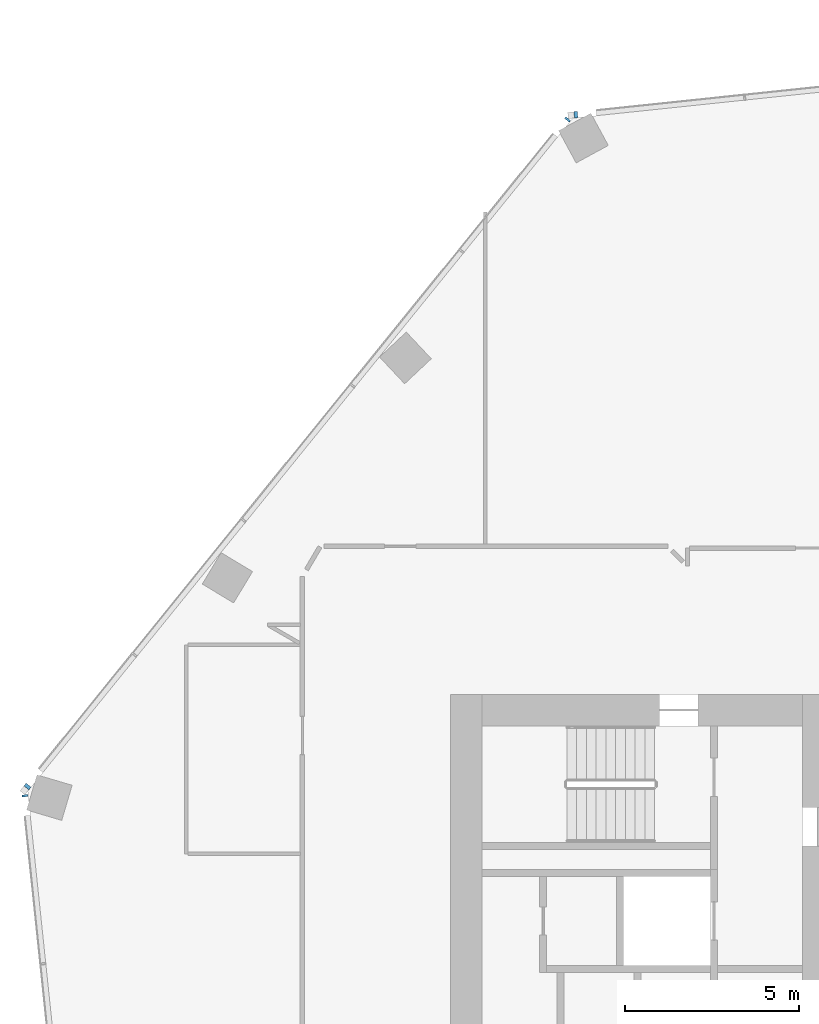
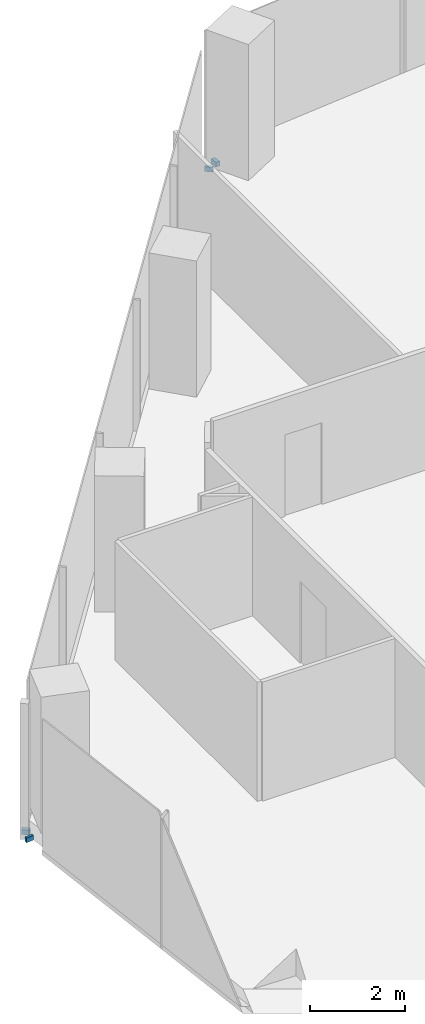
# One storey, part 14 of 25: 4 members, 3 elements without a shape of their own.
"""IFC4 building model written with IfcOpenShell, lengths in metres."""

from ifc_helpers import new_model, si_unit, direction, frame, origin, origin_2d, place, context, subcontext, project, spatial, rectangle, extrude, material, material_profile, profile_set, type_object, element, aggregate, save


model = new_model("IFC4")

# Units and contexts
model_context = context("Model", 3, precision=1e-05, world=origin(), true_north=direction((0.0, 1.0)))
body_context = subcontext(model_context, "Body", "Model", "MODEL_VIEW")
ifc_project = project(units=[si_unit("LENGTHUNIT", "METRE"), si_unit("AREAUNIT", "SQUARE_METRE"), si_unit("VOLUMEUNIT", "CUBIC_METRE"), si_unit("PLANEANGLEUNIT", "RADIAN"), si_unit("MASSUNIT", "GRAM", prefix="KILO")], contexts=[model_context])

# Site, building, storey
site_placement = place(None, origin())
site = spatial("IfcSite", under=ifc_project, at=site_placement, CompositionType="ELEMENT")
building_placement = place(site_placement, origin())
building = spatial("IfcBuilding", under=site, at=building_placement, Name="Orlundy Tower", CompositionType="ELEMENT")
storey_placement = place(building_placement, frame((0.0, 0.0, 217.5)))
storey = spatial("IfcBuildingStorey", under=building, at=storey_placement, Name="L57", CompositionType="ELEMENT", Elevation=217.5)

# Curtain wall, member
ifc_material_1 = material(Name="Aluminium bronze anodised", Category="aluminium")
curtain_wall_type = type_object("IfcCurtainWallType", Name="CW1 wall", PredefinedType="NOTDEFINED", material=ifc_material_1)
curtain_wall_1_placement = place(storey_placement, origin())
curtain_wall_1 = element("IfcCurtainWall", 1, at=curtain_wall_1_placement, inside=storey, type_object=curtain_wall_type, Name="CW1 run 02", PredefinedType="NOTDEFINED")
ifc_material_2 = material(Name="Aluminium bronze anodised", Category="aluminium")
ifc_material_profile = material_profile(ifc_material_2, rectangle(XDim=0.179931640625, YDim=0.1201171875, at=origin_2d()), Name="CW1 transom 180x120")
ifc_profile_set = profile_set([ifc_material_profile], Name="Aluminium bronze anodised")
member_type = type_object("IfcMemberType", Name="CW1 transom 180x120", PredefinedType="USERDEFINED", material=ifc_profile_set)
member_1_placement = place(storey_placement, frame((-31.208740234375, 9.0625, -0.360107421875), z_axis=(-0.104267266743, 0.994549313552, 0.0), x_axis=(-0.994549313552, -0.104267266743, 0.0)))
member_1 = element("IfcMember", 2, at=member_1_placement, type_object=member_type, Name="CW1 transom", ObjectType="TRANSOM", PredefinedType="USERDEFINED", context=body_context, shape_type="SweptSolid", body=[
    extrude(rectangle(XDim=0.179931640625, YDim=0.1201171875, at=origin_2d()), origin(), (0.0, 0.0, 1.0), 0.060791015625),
])
aggregate(curtain_wall_1, [member_1])

# Curtain wall, members
curtain_wall_2_placement = place(storey_placement, origin())
curtain_wall_2 = element("IfcCurtainWall", 3, at=curtain_wall_2_placement, inside=storey, type_object=curtain_wall_type, Name="CW1 run 03", PredefinedType="NOTDEFINED")
member_2_placement = place(storey_placement, frame((-31.171875, 9.319580078125, -0.360107421875), z_axis=(0.630125535101, 0.776493277507, 0.0), x_axis=(-0.776493277507, 0.630125535101, 0.0)))
member_2 = element("IfcMember", 4, at=member_2_placement, type_object=member_type, Name="CW1 transom", ObjectType="TRANSOM", PredefinedType="USERDEFINED", context=body_context, shape_type="SweptSolid", body=[
    extrude(rectangle(XDim=0.179931640625, YDim=0.1201171875, at=origin_2d()), origin(), (0.0, 0.0, 1.0), 0.098388671875),
])
member_3_placement = place(storey_placement, frame((-15.6591796875, 28.47607421875, -0.360107421875), z_axis=(0.629542030001, 0.776966429431, 0.0), x_axis=(-0.776966429431, 0.629542030001, 0.0)))
member_3 = element("IfcMember", 5, at=member_3_placement, type_object=member_type, Name="CW1 transom", ObjectType="TRANSOM", PredefinedType="USERDEFINED", context=body_context, shape_type="SweptSolid", body=[
    extrude(rectangle(XDim=0.179931640625, YDim=0.1201171875, at=origin_2d()), origin(), (0.0, 0.0, 1.0), 0.061279296875),
])
aggregate(curtain_wall_2, [member_2, member_3])

# Curtain wall, member
curtain_wall_3_placement = place(storey_placement, origin())
curtain_wall_3 = element("IfcCurtainWall", 6, at=curtain_wall_3_placement, inside=storey, type_object=curtain_wall_type, Name="CW1 run 04", PredefinedType="NOTDEFINED")
member_4_placement = place(storey_placement, frame((-15.450927734375, 28.632080078125, -0.360107421875), z_axis=(0.994559679357, 0.104168345469, 0.0), x_axis=(-0.104168345469, 0.994559679357, 0.0)))
member_4 = element("IfcMember", 7, at=member_4_placement, type_object=member_type, Name="CW1 transom", ObjectType="TRANSOM", PredefinedType="USERDEFINED", context=body_context, shape_type="SweptSolid", body=[
    extrude(rectangle(XDim=0.179931640625, YDim=0.1201171875, at=origin_2d()), origin(), (0.0, 0.0, 1.0), 0.098388671875),
])
aggregate(curtain_wall_3, [member_4])

save(model, "model.ifc")
